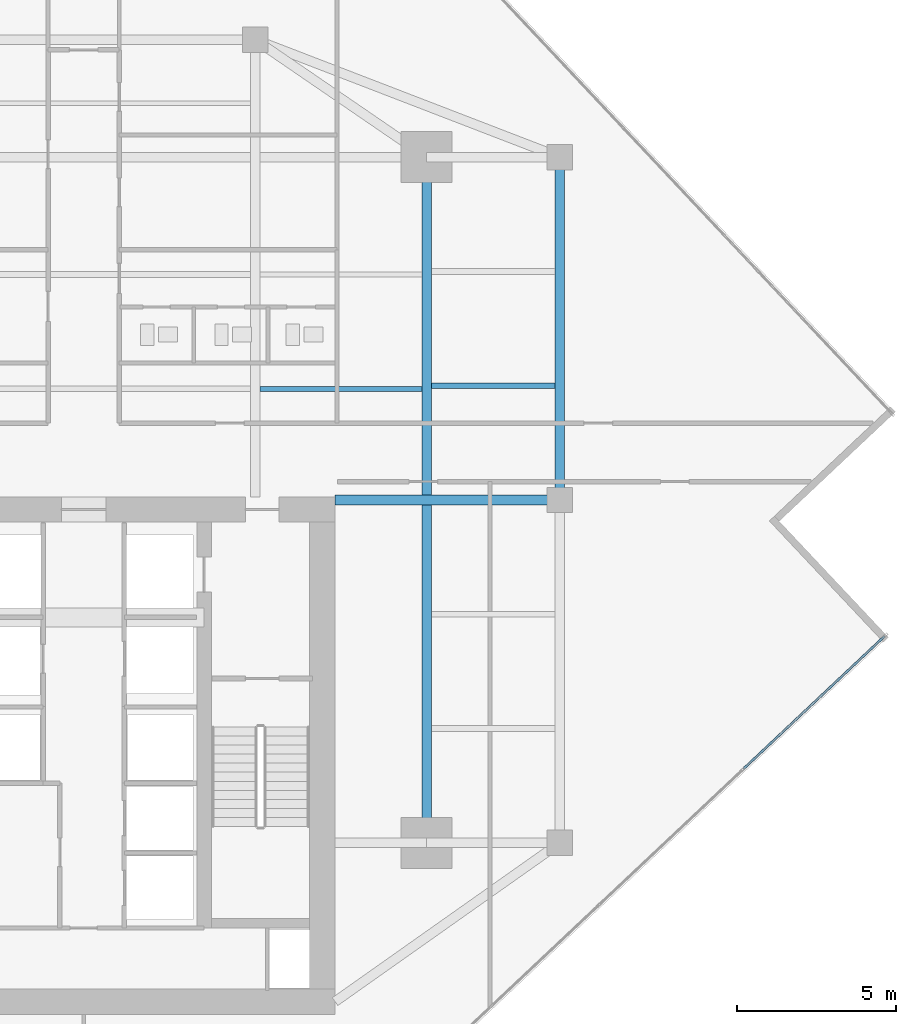
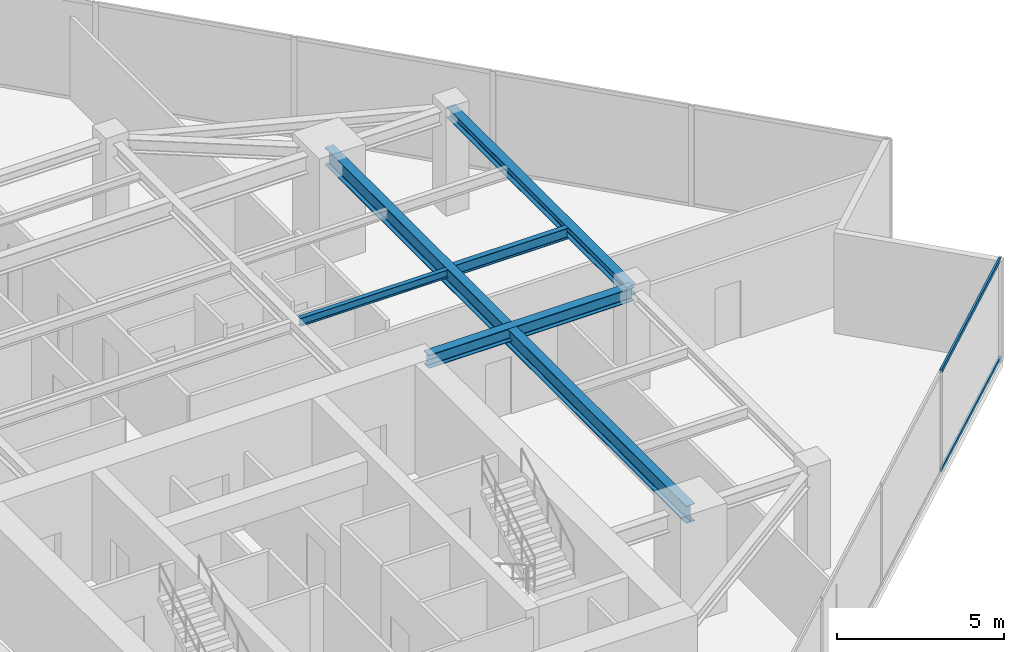
# One storey, part 11 of 24: 5 beams, 2 members, 1 element without a shape of its own.
"""IFC4 building model written with IfcOpenShell, lengths in metres."""

from ifc_helpers import new_model, si_unit, direction, frame, origin, origin_2d, place, context, subcontext, project, spatial, hollow_rectangle, i_section, extrude, source, transform, mapped, material, material_profile, profile_set, type_object, type_shapes, element, aggregate, save


model = new_model("IFC4")

# Units and contexts
model_context = context("Model", 3, precision=1e-05, world=origin(), true_north=direction((0.0, 1.0)))
body_context = subcontext(model_context, "Body", "Model", "MODEL_VIEW")
ifc_project = project(units=[si_unit("LENGTHUNIT", "METRE"), si_unit("AREAUNIT", "SQUARE_METRE"), si_unit("VOLUMEUNIT", "CUBIC_METRE"), si_unit("PLANEANGLEUNIT", "RADIAN"), si_unit("MASSUNIT", "GRAM", prefix="KILO")], contexts=[model_context])

# Site, building, storey
site_placement = place(None, origin())
site = spatial("IfcSite", under=ifc_project, at=site_placement, CompositionType="ELEMENT")
building_placement = place(site_placement, origin())
building = spatial("IfcBuilding", under=site, at=building_placement, Name="Krantzveldt Concourse Tower", CompositionType="ELEMENT")
storey_placement = place(building_placement, frame((0.0, 0.0, 246.800048828125)))
storey = spatial("IfcBuildingStorey", under=building, at=storey_placement, Name="L60", CompositionType="ELEMENT", Elevation=246.800048828125)

# Beams
ifc_material_1 = material(Name="Steel S355JR", Category="steel")
ifc_material_profile_1 = material_profile(ifc_material_1, i_section(OverallWidth=0.300048828125, OverallDepth=0.639892578125, WebThickness=0.013427734375, FlangeThickness=0.02587890625, FilletRadius=0.027099609375, at=origin_2d()), Name="Steel S355JR", Category="steel")
ifc_profile_set_1 = profile_set([ifc_material_profile_1], Name="Steel S355JR - HEA 650")
beam_type_1 = type_object("IfcBeamType", Name="BM-B-HEA650", PredefinedType="BEAM", material=ifc_profile_set_1)
shared_shape_1 = source(origin(), body_context, "Body", "SweptSolid", [
    extrude(i_section(OverallWidth=0.300048828125, OverallDepth=0.639892578125, WebThickness=0.013427734375, FlangeThickness=0.02587890625, FilletRadius=0.027099609375, at=origin_2d()), origin(), (0.0, 0.0, 1.0), 21.60009765625),
])
type_shapes(beam_type_1, [shared_shape_1])
beam_1_placement = place(storey_placement, frame((46.800048828125, 15.89990234375, 3.349853515625), z_axis=(0.0, 1.0, 0.0), x_axis=(-1.0, 0.0, 0.0)))
element("IfcBeam", 1, at=beam_1_placement, inside=storey, type_object=beam_type_1, Name="L60 Tower Girder BG-ME", PredefinedType="BEAM", context=body_context, shape_type="MappedRepresentation", body=[
    mapped(shared_shape_1, transform((0.0, 0.0, 0.0), x_axis=(1.0, 0.0, 0.0), y_axis=(0.0, 1.0, 0.0), z_axis=(0.0, 0.0, 1.0), scale=1.0)),
])
ifc_material_profile_2 = material_profile(ifc_material_1, i_section(OverallWidth=0.300048828125, OverallDepth=0.389892578125, WebThickness=0.010986328125, FlangeThickness=0.01904296875, FilletRadius=0.027099609375, at=origin_2d()), Name="Steel S355JR", Category="steel")
ifc_profile_set_2 = profile_set([ifc_material_profile_2], Name="Steel S355JR - HEA 400")
beam_type_2 = type_object("IfcBeamType", Name="BM-SP-HEA400", PredefinedType="SPANDREL", material=ifc_profile_set_2)
shared_shape_2 = source(origin(), body_context, "Body", "SweptSolid", [
    extrude(i_section(OverallWidth=0.300048828125, OverallDepth=0.389892578125, WebThickness=0.010986328125, FlangeThickness=0.01904296875, FilletRadius=0.027099609375, at=origin_2d()), origin(), (0.0, 0.0, 1.0), 10.800048828125),
])
type_shapes(beam_type_2, [shared_shape_2])
beam_2_placement = place(storey_placement, frame((51.0, 37.5, 3.474853515625), z_axis=(0.0, -1.0, 0.0), x_axis=(1.0, 0.0, 0.0)))
element("IfcBeam", 2, at=beam_2_placement, inside=storey, type_object=beam_type_2, Name="L60 Tower Girder SP-R06", PredefinedType="SPANDREL", context=body_context, shape_type="MappedRepresentation", body=[
    mapped(shared_shape_2, transform((0.0, 0.0, 0.0), x_axis=(1.0, 0.0, 0.0), y_axis=(0.0, 1.0, 0.0), z_axis=(0.0, 0.0, 1.0), scale=1.0)),
])
ifc_material_profile_3 = material_profile(ifc_material_1, i_section(OverallWidth=0.300048828125, OverallDepth=0.489990234375, WebThickness=0.011962890625, FlangeThickness=0.02294921875, FilletRadius=0.027099609375, at=origin_2d()), Name="Steel S355JR", Category="steel")
ifc_profile_set_3 = profile_set([ifc_material_profile_3], Name="Steel S355JR - HEA 500")
beam_type_3 = type_object("IfcBeamType", Name="BM-B-HEA500", PredefinedType="BEAM", material=ifc_profile_set_3)
shared_shape_3 = source(origin(), body_context, "Body", "SweptSolid", [
    extrude(i_section(OverallWidth=0.300048828125, OverallDepth=0.489990234375, WebThickness=0.011962890625, FlangeThickness=0.02294921875, FilletRadius=0.027099609375, at=origin_2d()), origin(), (0.0, 0.0, 1.0), 7.080078125),
])
type_shapes(beam_type_3, [shared_shape_3])
beam_3_placement = place(storey_placement, frame((43.919921875, 26.699951171875, 3.425048828125), z_axis=(1.0, 0.0, 0.0), x_axis=(0.0, 1.0, 0.0)))
element("IfcBeam", 3, at=beam_3_placement, inside=storey, type_object=beam_type_3, Name="L60 Tower Girder BG-CE2", PredefinedType="BEAM", context=body_context, shape_type="MappedRepresentation", body=[
    mapped(shared_shape_3, transform((0.0, 0.0, 0.0), x_axis=(1.0, 0.0, 0.0), y_axis=(0.0, 1.0, 0.0), z_axis=(0.0, 0.0, 1.0), scale=1.0)),
])
ifc_material_profile_4 = material_profile(ifc_material_1, i_section(OverallWidth=0.14990234375, OverallDepth=0.300048828125, WebThickness=0.007080078125, FlangeThickness=0.0107421875, FilletRadius=0.014892578125, at=origin_2d()), Name="Steel S355JR", Category="steel")
ifc_profile_set_4 = profile_set([ifc_material_profile_4], Name="Steel S355JR - IPE 300")
beam_type_4 = type_object("IfcBeamType", Name="BM-J-IPE300", PredefinedType="JOIST", material=ifc_profile_set_4)
shared_shape_4 = source(origin(), body_context, "Body", "SweptSolid", [
    extrude(i_section(OverallWidth=0.14990234375, OverallDepth=0.300048828125, WebThickness=0.007080078125, FlangeThickness=0.0107421875, FilletRadius=0.014892578125, at=origin_2d()), origin(), (0.0, 0.0, 1.0), 5.099853515625),
])
type_shapes(beam_type_4, [shared_shape_4])
beam_4_placement = place(storey_placement, frame((41.550048828125, 30.199951171875, 3.52001953125), z_axis=(1.0, 0.0, 0.0), x_axis=(0.0, 1.0, 0.0)))
element("IfcBeam", 4, at=beam_4_placement, inside=storey, type_object=beam_type_4, Name="L60 Secondary Floor Joist JN-E1", PredefinedType="JOIST", context=body_context, shape_type="MappedRepresentation", body=[
    mapped(shared_shape_4, transform((0.0, 0.0, 0.0), x_axis=(1.0, 0.0, 0.0), y_axis=(0.0, 1.0, 0.0), z_axis=(0.0, 0.0, 1.0), scale=1.0)),
])
ifc_material_profile_5 = material_profile(ifc_material_1, i_section(OverallWidth=0.179931640625, OverallDepth=0.39990234375, WebThickness=0.008544921875, FlangeThickness=0.013427734375, FilletRadius=0.02099609375, at=origin_2d()), Name="Steel S355JR", Category="steel")
ifc_profile_set_5 = profile_set([ifc_material_profile_5], Name="Steel S355JR - IPE 400")
beam_type_5 = type_object("IfcBeamType", Name="BM-J-IPE400", PredefinedType="JOIST", material=ifc_profile_set_5)
shared_shape_5 = source(origin(), body_context, "Body", "SweptSolid", [
    extrude(i_section(OverallWidth=0.179931640625, OverallDepth=0.39990234375, WebThickness=0.008544921875, FlangeThickness=0.013427734375, FilletRadius=0.02099609375, at=origin_2d()), origin(), (0.0, 0.0, 1.0), 3.900146484375),
])
type_shapes(beam_type_5, [shared_shape_5])
beam_5_placement = place(storey_placement, frame((46.949951171875, 30.300048828125, 3.469970703125), z_axis=(1.0, 0.0, 0.0), x_axis=(0.0, 1.0, 0.0)))
element("IfcBeam", 5, at=beam_5_placement, inside=storey, type_object=beam_type_5, Name="L60 Secondary Floor Joist JE-3", PredefinedType="JOIST", context=body_context, shape_type="MappedRepresentation", body=[
    mapped(shared_shape_5, transform((0.0, 0.0, 0.0), x_axis=(1.0, 0.0, 0.0), y_axis=(0.0, 1.0, 0.0), z_axis=(0.0, 0.0, 1.0), scale=1.0)),
])

# Curtain wall, members
ifc_material_2 = material(Name="Anodised aluminium 6063-T6", Category="aluminium")
curtain_wall_type = type_object("IfcCurtainWallType", Name="CW3", PredefinedType="USERDEFINED", material=ifc_material_2)
curtain_wall_placement = place(storey_placement, origin())
curtain_wall = element("IfcCurtainWall", 6, at=curtain_wall_placement, inside=storey, type_object=curtain_wall_type, Name="CW-L60-F11", ObjectType="UNITISED CURTAIN WALL", PredefinedType="USERDEFINED")
ifc_material_profile_6 = material_profile(ifc_material_2, hollow_rectangle(XDim=0.070068359375, YDim=0.139892578125, WallThickness=0.0048828125, at=origin_2d()), Name="Anodised aluminium 6063-T6", Category="aluminium")
ifc_profile_set_6 = profile_set([ifc_material_profile_6], Name="Anodised aluminium 6063-T6 - ALU-TRAN 140x70x5")
member_type = type_object("IfcMemberType", Name="CW-TRN-150", PredefinedType="USERDEFINED", material=ifc_profile_set_6)
shared_shape_6 = source(origin(), body_context, "Body", "SweptSolid", [
    extrude(hollow_rectangle(XDim=0.070068359375, YDim=0.139892578125, WallThickness=0.0048828125, at=origin_2d()), origin(), (0.0, 0.0, 1.0), 6.094970703125),
])
type_shapes(member_type, [shared_shape_6])
member_1_placement = place(storey_placement, frame((56.783935546875, 18.230224609375, 0.034912109375), z_axis=(0.728386944809, 0.685166008082, 0.0), x_axis=(-0.685166008082, 0.728386944809, 0.0)))
member_1 = element("IfcMember", 7, at=member_1_placement, type_object=member_type, Name="CW-Z34 transom 5.1", ObjectType="TRANSOM", PredefinedType="USERDEFINED", context=body_context, shape_type="MappedRepresentation", body=[
    mapped(shared_shape_6, transform((0.0, 0.0, 0.0), x_axis=(1.0, 0.0, 0.0), y_axis=(0.0, 1.0, 0.0), z_axis=(0.0, 0.0, 1.0), scale=1.0)),
])
member_2_placement = place(storey_placement, frame((56.783935546875, 18.230224609375, 3.635009765625), z_axis=(0.728386944809, 0.685166008082, 0.0), x_axis=(-0.685166008082, 0.728386944809, 0.0)))
member_2 = element("IfcMember", 8, at=member_2_placement, type_object=member_type, Name="CW-Z34 transom 5.2", ObjectType="TRANSOM", PredefinedType="USERDEFINED", context=body_context, shape_type="MappedRepresentation", body=[
    mapped(shared_shape_6, transform((0.0, 0.0, 0.0), x_axis=(1.0, 0.0, 0.0), y_axis=(0.0, 1.0, 0.0), z_axis=(0.0, 0.0, 1.0), scale=1.0)),
])
aggregate(curtain_wall, [member_1, member_2])

save(model, "model.ifc")
